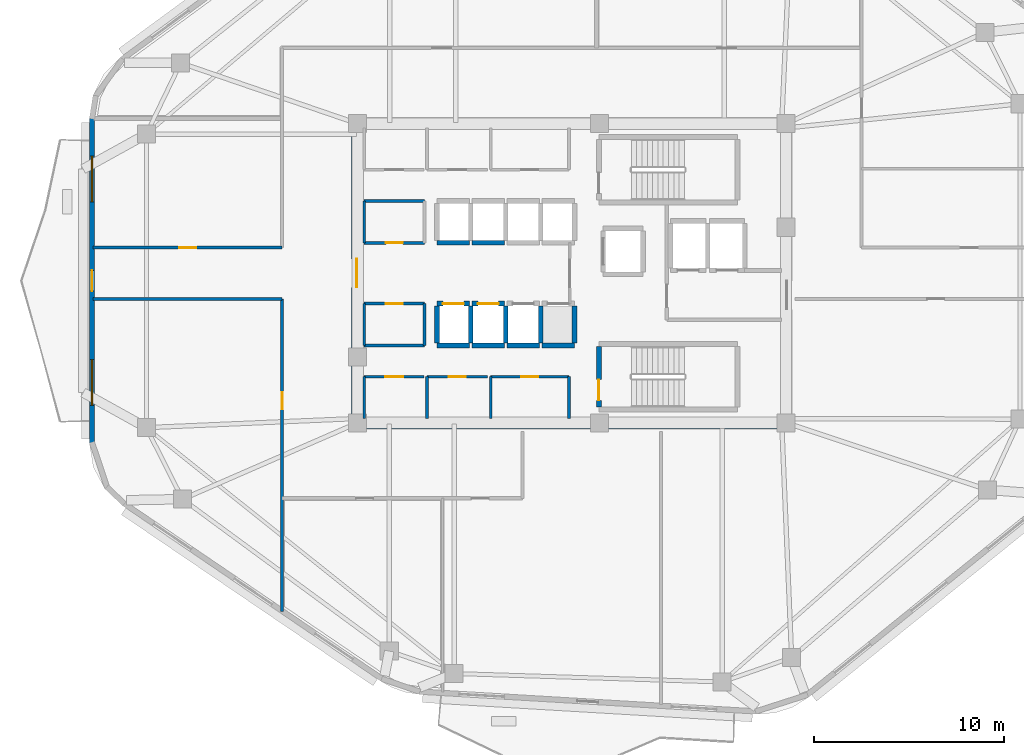
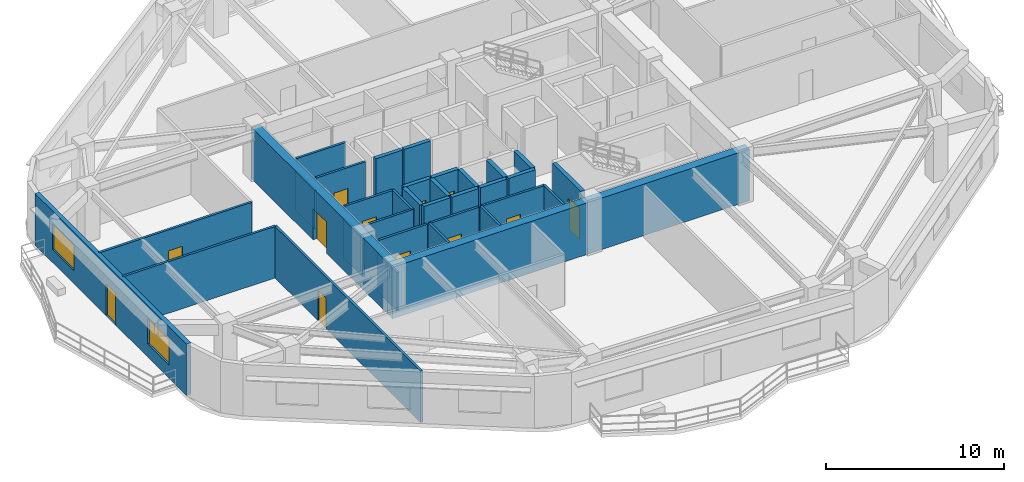
# One storey, part 8 of 15: 34 walls, 12 doors, 2 windows, 14 openings.
"""IFC4 building model written with IfcOpenShell, lengths in metres."""

from ifc_helpers import new_model, si_unit, direction, frame, frame_2d, origin, place, context, subcontext, project, spatial, rectangle, extrude, material, layer, layer_set, type_object, element, fill, save


model = new_model("IFC4")

# Units and contexts
model_context = context("Model", 3, precision=1e-05, world=origin(), true_north=direction((0.0, 1.0)))
body_context = subcontext(model_context, "Body", "Model", "MODEL_VIEW")
ifc_project = project(units=[si_unit("LENGTHUNIT", "METRE"), si_unit("AREAUNIT", "SQUARE_METRE"), si_unit("VOLUMEUNIT", "CUBIC_METRE"), si_unit("PLANEANGLEUNIT", "RADIAN"), si_unit("MASSUNIT", "GRAM", prefix="KILO")], contexts=[model_context])

# Site, building, storey
site_placement = place(None, origin())
site = spatial("IfcSite", under=ifc_project, at=site_placement, CompositionType="ELEMENT")
building_placement = place(site_placement, origin())
building = spatial("IfcBuilding", under=site, at=building_placement, Name="Zulverin Broadcast Headquarters", CompositionType="ELEMENT")
storey_placement = place(building_placement, frame((0.0, 0.0, 193.39990234375)))
storey = spatial("IfcBuildingStorey", under=building, at=storey_placement, Name="L49", CompositionType="ELEMENT", Elevation=193.39990234375)

# Wall
ifc_material_1 = material(Name="Concrete C60/75", Category="concrete")
ifc_layer_1 = layer(ifc_material_1, 0.550048828125, Name="Concrete C60/75", Category="concrete")
ifc_layer_set_1 = layer_set([ifc_layer_1], Name="Concrete C60/75")
wall_type_1 = type_object("IfcWallType", Name="WL-CORE-550", PredefinedType="SHEAR", material=ifc_layer_set_1)
wall_1_placement = place(storey_placement, frame((25.39990234375, 17.27490234375, 0.0), z_axis=(0.0, 0.0, 1.0), x_axis=(1.0, 0.0, 0.0)))
element("IfcWall", 1, at=wall_1_placement, inside=storey, type_object=wall_type_1, Name="L49 Core South Shear Wall", PredefinedType="SHEAR", context=body_context, shape_type="SweptSolid", body=[
    extrude(rectangle(XDim=23.2001953125, YDim=0.550048828125, at=frame_2d((11.60009765625, 0.0))), origin(), (0.0, 0.0, 1.0), 3.5400390625),
])

# Wall, opening, door
wall_2_placement = place(storey_placement, frame((25.675048828125, 17.550048828125, 0.0), z_axis=(0.0, 0.0, 1.0), x_axis=(0.0, 1.0, 0.0)))
wall_2 = element("IfcWall", 2, at=wall_2_placement, inside=storey, type_object=wall_type_1, Name="L49 Core West Shear Wall", PredefinedType="SHEAR", context=body_context, shape_type="SweptSolid", body=[
    extrude(rectangle(XDim=15.300048828125, YDim=0.550048828125, at=frame_2d((7.64990234375, 0.0))), origin(), (0.0, 0.0, 1.0), 3.5400390625),
])
opening_1_placement = place(wall_2_placement, frame((6.89990234375, 0.0, 0.0)))
opening_1 = element("IfcOpeningElement", 3, at=opening_1_placement, cuts=wall_2, Name="Opening D-L49-CW1", PredefinedType="OPENING", context=body_context, shape_type="SweptSolid", body=[
    extrude(rectangle(XDim=1.5, YDim=2.14990234375, at=frame_2d((0.75, 1.074951171875))), frame((0.0, 0.284912109375, 0.0), z_axis=(0.0, -1.0, 0.0), x_axis=(1.0, 0.0, 0.0)), (0.0, 0.0, 1.0), 0.570068359375),
])
ifc_material_2 = material(Name="Fire-rated glazed steel frame", Category="steel")
door_type_1 = type_object("IfcDoorType", Name="DR-COR-1500", OperationType="DOUBLE_DOOR_SINGLE_SWING", PredefinedType="DOOR", material=ifc_material_2)
door_1_placement = place(opening_1_placement, origin())
door_1 = element("IfcDoor", 4, at=door_1_placement, inside=storey, type_object=door_type_1, Name="L49 Central Lift Lobby West Portal Door", OperationType="DOUBLE_DOOR_SINGLE_SWING", OverallHeight=2.14990234375, OverallWidth=1.5, PredefinedType="DOOR", context=body_context, shape_type="SweptSolid", body=[
    extrude(rectangle(XDim=1.5, YDim=2.14990234375, at=frame_2d((0.75, 1.074951171875))), frame((0.0, 0.02490234375, 0.0), z_axis=(0.0, -1.0, 0.0), x_axis=(1.0, 0.0, 0.0)), (0.0, 0.0, 1.0), 0.050048828125),
])
fill(opening_1, door_1)

# Wall, openings, door, windows
ifc_material_3 = material(Name="Insulated pale-metal clad concrete spandrel C40/50", Category="concrete")
ifc_layer_2 = layer(ifc_material_3, 0.280029296875, Name="Insulated pale-metal clad concrete spandrel C40/50", Category="concrete")
ifc_layer_set_2 = layer_set([ifc_layer_2], Name="Insulated pale-metal clad concrete spandrel C40/50")
wall_type_2 = type_object("IfcWallType", Name="WL-EXT-280", PredefinedType="STANDARD", material=ifc_layer_set_2)
wall_3_placement = place(storey_placement, frame((11.739990234375, 33.34033203125, 0.0), z_axis=(0.0, 0.0, 1.0), x_axis=(0.0, -1.0, 0.0)))
wall_3 = element("IfcWall", 5, at=wall_3_placement, inside=storey, type_object=wall_type_2, Name="L49 Pale-Metal Clad Spandrel Wall 7", PredefinedType="STANDARD", context=body_context, shape_type="SweptSolid", body=[
    extrude(rectangle(XDim=17.07275390625, YDim=0.280029296875, at=frame_2d((8.536376953125, 0.0))), origin(), (0.0, 0.0, 1.0), 3.5400390625),
])
opening_2_placement = place(wall_3_placement, frame((7.986328125, 0.0, 0.0)))
opening_2 = element("IfcOpeningElement", 6, at=opening_2_placement, cuts=wall_3, Name="Opening D-L49-TR7", PredefinedType="OPENING", context=body_context, shape_type="SweptSolid", body=[
    extrude(rectangle(XDim=1.10009765625, YDim=2.199951171875, at=frame_2d((0.550048828125, 1.10009765625))), frame((0.0, 0.14990234375, 0.0), z_axis=(0.0, -1.0, 0.0), x_axis=(1.0, 0.0, 0.0)), (0.0, 0.0, 1.0), 0.300048828125),
])
opening_3_placement = place(wall_3_placement, frame((1.978759765625, 0.0, 0.89990234375)))
opening_3 = element("IfcOpeningElement", 7, at=opening_3_placement, cuts=wall_3, Name="Opening W-L49-E71", PredefinedType="OPENING", context=body_context, shape_type="SweptSolid", body=[
    extrude(rectangle(XDim=2.39990234375, YDim=1.75, at=frame_2d((1.199951171875, 0.875))), frame((0.0, 0.14990234375, 0.0), z_axis=(0.0, -1.0, 0.0), x_axis=(1.0, 0.0, 0.0)), (0.0, 0.0, 1.0), 0.300048828125),
])
opening_4_placement = place(wall_3_placement, frame((12.69384765625, 0.0, 0.89990234375)))
opening_4 = element("IfcOpeningElement", 8, at=opening_4_placement, cuts=wall_3, Name="Opening W-L49-E72", PredefinedType="OPENING", context=body_context, shape_type="SweptSolid", body=[
    extrude(rectangle(XDim=2.39990234375, YDim=1.75, at=frame_2d((1.199951171875, 0.875))), frame((0.0, 0.14990234375, 0.0), z_axis=(0.0, -1.0, 0.0), x_axis=(1.0, 0.0, 0.0)), (0.0, 0.0, 1.0), 0.300048828125),
])
ifc_material_4 = material(Name="Thermally broken aluminium glazed", Category="aluminium")
door_type_2 = type_object("IfcDoorType", Name="DR-TERR-1100", OperationType="SINGLE_SWING_RIGHT", PredefinedType="DOOR", material=ifc_material_4)
door_2_placement = place(opening_2_placement, origin())
door_2 = element("IfcDoor", 9, at=door_2_placement, inside=storey, type_object=door_type_2, Name="L49 Planted Terrace Glazed Access Door 7", OperationType="SINGLE_SWING_RIGHT", OverallHeight=2.199951171875, OverallWidth=1.10009765625, PredefinedType="DOOR", context=body_context, shape_type="SweptSolid", body=[
    extrude(rectangle(XDim=1.10009765625, YDim=2.199951171875, at=frame_2d((0.550048828125, 1.10009765625))), frame((0.0, 0.02490234375, 0.0), z_axis=(0.0, -1.0, 0.0), x_axis=(1.0, 0.0, 0.0)), (0.0, 0.0, 1.0), 0.050048828125),
])
fill(opening_2, door_2)
ifc_material_5 = material(Name="Pale anodized aluminium frame with solar-control low-E double glazing", Category="aluminium")
window_type = type_object("IfcWindowType", Name="WIN-RIB-2400", PartitioningType="SINGLE_PANEL", PredefinedType="WINDOW", material=ifc_material_5)
window_1_placement = place(opening_3_placement, origin())
window_1 = element("IfcWindow", 10, at=window_1_placement, inside=storey, type_object=window_type, Name="L49 Ribbon Glazing Window 7 1", OverallHeight=1.75, OverallWidth=2.39990234375, PartitioningType="SINGLE_PANEL", PredefinedType="WINDOW", context=body_context, shape_type="SweptSolid", body=[
    extrude(rectangle(XDim=2.39990234375, YDim=1.75, at=frame_2d((1.199951171875, 0.875))), frame((0.0, 0.030029296875, 0.0), z_axis=(0.0, -1.0, 0.0), x_axis=(1.0, 0.0, 0.0)), (0.0, 0.0, 1.0), 0.06005859375),
])
fill(opening_3, window_1)
window_2_placement = place(opening_4_placement, origin())
window_2 = element("IfcWindow", 11, at=window_2_placement, inside=storey, type_object=window_type, Name="L49 Ribbon Glazing Window 7 2", OverallHeight=1.75, OverallWidth=2.39990234375, PartitioningType="SINGLE_PANEL", PredefinedType="WINDOW", context=body_context, shape_type="SweptSolid", body=[
    extrude(rectangle(XDim=2.39990234375, YDim=1.75, at=frame_2d((1.199951171875, 0.875))), frame((0.0, 0.030029296875, 0.0), z_axis=(0.0, -1.0, 0.0), x_axis=(1.0, 0.0, 0.0)), (0.0, 0.0, 1.0), 0.06005859375),
])
fill(opening_4, window_2)

# Wall, opening, door
ifc_material_6 = material(Name="Fire-rated gypsum stud partition", Category="gypsum")
ifc_layer_3 = layer(ifc_material_6, 0.14990234375, Name="Fire-rated gypsum stud partition", Category="gypsum")
ifc_layer_set_3 = layer_set([ifc_layer_3], Name="Fire-rated gypsum stud partition")
wall_type_3 = type_object("IfcWallType", Name="WL-PART-150", PredefinedType="PARTITIONING", material=ifc_layer_set_3)
wall_4_placement = place(storey_placement, frame((26.070068359375, 19.75, 0.0), z_axis=(0.0, 0.0, 1.0), x_axis=(1.0, 0.0, 0.0)))
wall_4 = element("IfcWall", 12, at=wall_4_placement, inside=storey, type_object=wall_type_3, Name="L49 Core Female WC Front Wall", PredefinedType="PARTITIONING", context=body_context, shape_type="SweptSolid", body=[
    extrude(rectangle(XDim=3.14990234375, YDim=0.14990234375, at=frame_2d((1.574951171875, 0.0))), origin(), (0.0, 0.0, 1.0), 3.5400390625),
])
opening_5_placement = place(wall_4_placement, frame((1.10009765625, 0.0, 0.0)))
opening_5 = element("IfcOpeningElement", 13, at=opening_5_placement, cuts=wall_4, Name="Opening D-L49-SC1", PredefinedType="OPENING", context=body_context, shape_type="SweptSolid", body=[
    extrude(rectangle(XDim=0.949951171875, YDim=2.10009765625, at=frame_2d((0.47509765625, 1.050048828125))), frame((0.0, 0.0849609375, 0.0), z_axis=(0.0, -1.0, 0.0), x_axis=(1.0, 0.0, 0.0)), (0.0, 0.0, 1.0), 0.169921875),
])
ifc_material_7 = material(Name="Fire-rated moisture-resistant laminate leaf", Category="wood")
door_type_3 = type_object("IfcDoorType", Name="DR-WC-950", OperationType="SINGLE_SWING_LEFT", PredefinedType="DOOR", material=ifc_material_7)
door_3_placement = place(opening_5_placement, origin())
door_3 = element("IfcDoor", 14, at=door_3_placement, inside=storey, type_object=door_type_3, Name="L49 Female WC Door", OperationType="SINGLE_SWING_RIGHT", OverallHeight=2.10009765625, OverallWidth=0.949951171875, PredefinedType="DOOR", context=body_context, shape_type="SweptSolid", body=[
    extrude(rectangle(XDim=0.949951171875, YDim=2.10009765625, at=frame_2d((0.47509765625, 1.050048828125))), frame((0.0, 0.02490234375, 0.0), z_axis=(0.0, -1.0, 0.0), x_axis=(1.0, 0.0, 0.0)), (0.0, 0.0, 1.0), 0.050048828125),
])
fill(opening_5, door_3)

# Wall
wall_5_placement = place(storey_placement, frame((26.070068359375, 17.550048828125, 0.0), z_axis=(0.0, 0.0, 1.0), x_axis=(0.0, 1.0, 0.0)))
element("IfcWall", 15, at=wall_5_placement, inside=storey, type_object=wall_type_3, Name="L49 Core Female WC West Wall", PredefinedType="PARTITIONING", context=body_context, shape_type="SweptSolid", body=[
    extrude(rectangle(XDim=2.199951171875, YDim=0.14990234375, at=frame_2d((1.10009765625, 0.0))), origin(), (0.0, 0.0, 1.0), 2.64013671875),
])

# Wall, opening, door
wall_6_placement = place(storey_placement, frame((29.3798828125, 19.75, 0.0), z_axis=(0.0, 0.0, 1.0), x_axis=(1.0, 0.0, 0.0)))
wall_6 = element("IfcWall", 16, at=wall_6_placement, inside=storey, type_object=wall_type_3, Name="L49 Core Cleaner Store Front Wall", PredefinedType="PARTITIONING", context=body_context, shape_type="SweptSolid", body=[
    extrude(rectangle(XDim=3.190185546875, YDim=0.14990234375, at=frame_2d((1.59521484375, 0.0))), origin(), (0.0, 0.0, 1.0), 3.5400390625),
])
opening_6_placement = place(wall_6_placement, frame((1.14501953125, 0.0, 0.0)))
opening_6 = element("IfcOpeningElement", 17, at=opening_6_placement, cuts=wall_6, Name="Opening D-L49-SC2", PredefinedType="OPENING", context=body_context, shape_type="SweptSolid", body=[
    extrude(rectangle(XDim=0.89990234375, YDim=2.10009765625, at=frame_2d((0.449951171875, 1.050048828125))), frame((0.0, 0.0849609375, 0.0), z_axis=(0.0, -1.0, 0.0), x_axis=(1.0, 0.0, 0.0)), (0.0, 0.0, 1.0), 0.169921875),
])
ifc_material_8 = material(Name="Powder-coated steel access leaf", Category="steel")
door_type_4 = type_object("IfcDoorType", Name="DR-RISER-900", OperationType="SINGLE_SWING_LEFT", PredefinedType="DOOR", material=ifc_material_8)
door_4_placement = place(opening_6_placement, origin())
door_4 = element("IfcDoor", 18, at=door_4_placement, inside=storey, type_object=door_type_4, Name="L49 Cleaner Store Door", OperationType="SINGLE_SWING_LEFT", OverallHeight=2.10009765625, OverallWidth=0.89990234375, PredefinedType="DOOR", context=body_context, shape_type="SweptSolid", body=[
    extrude(rectangle(XDim=0.89990234375, YDim=2.10009765625, at=frame_2d((0.449951171875, 1.050048828125))), frame((0.0, 0.02490234375, 0.0), z_axis=(0.0, -1.0, 0.0), x_axis=(1.0, 0.0, 0.0)), (0.0, 0.0, 1.0), 0.050048828125),
])
fill(opening_6, door_4)

# Wall
wall_7_placement = place(storey_placement, frame((29.3798828125, 17.550048828125, 0.0), z_axis=(0.0, 0.0, 1.0), x_axis=(0.0, 1.0, 0.0)))
element("IfcWall", 19, at=wall_7_placement, inside=storey, type_object=wall_type_3, Name="L49 Core Cleaner Store West Wall", PredefinedType="PARTITIONING", context=body_context, shape_type="SweptSolid", body=[
    extrude(rectangle(XDim=2.199951171875, YDim=0.14990234375, at=frame_2d((1.10009765625, 0.0))), origin(), (0.0, 0.0, 1.0), 3.5400390625),
])

# Wall, opening, door
wall_8_placement = place(storey_placement, frame((32.72998046875, 19.75, 0.0), z_axis=(0.0, 0.0, 1.0), x_axis=(1.0, 0.0, 0.0)))
wall_8 = element("IfcWall", 20, at=wall_8_placement, inside=storey, type_object=wall_type_3, Name="L49 Core Broadcast Fibre Riser Front Wall", PredefinedType="PARTITIONING", context=body_context, shape_type="SweptSolid", body=[
    extrude(rectangle(XDim=4.1201171875, YDim=0.14990234375, at=frame_2d((2.06005859375, 0.0))), origin(), (0.0, 0.0, 1.0), 3.5400390625),
])
opening_7_placement = place(wall_8_placement, frame((1.610107421875, 0.0, 0.0)))
opening_7 = element("IfcOpeningElement", 21, at=opening_7_placement, cuts=wall_8, Name="Opening D-L49-SC3", PredefinedType="OPENING", context=body_context, shape_type="SweptSolid", body=[
    extrude(rectangle(XDim=0.89990234375, YDim=2.10009765625, at=frame_2d((0.449951171875, 1.050048828125))), frame((0.0, 0.0849609375, 0.0), z_axis=(0.0, -1.0, 0.0), x_axis=(1.0, 0.0, 0.0)), (0.0, 0.0, 1.0), 0.169921875),
])
door_5_placement = place(opening_7_placement, origin())
door_5 = element("IfcDoor", 22, at=door_5_placement, inside=storey, type_object=door_type_4, Name="L49 Broadcast Fibre Riser Door", OperationType="SINGLE_SWING_RIGHT", OverallHeight=2.10009765625, OverallWidth=0.89990234375, PredefinedType="DOOR", context=body_context, shape_type="SweptSolid", body=[
    extrude(rectangle(XDim=0.89990234375, YDim=2.10009765625, at=frame_2d((0.449951171875, 1.050048828125))), frame((0.0, 0.02490234375, 0.0), z_axis=(0.0, -1.0, 0.0), x_axis=(1.0, 0.0, 0.0)), (0.0, 0.0, 1.0), 0.050048828125),
])
fill(opening_7, door_5)

# Walls
for number, where, z_axis, x_axis, name in (
    (23, (32.72998046875, 17.550048828125, 0.0), (0.0, 0.0, 1.0), (0.0, 1.0, 0.0), "L49 Core Broadcast Fibre Riser West Wall"),
    (24, (36.85009765625, 17.550048828125, 0.0), (0.0, 0.0, 1.0), (0.0, 1.0, 0.0), "L49 Core Broadcast Fibre Riser East Wall"),
):
    element("IfcWall", number, at=place(storey_placement, frame(where, z_axis=z_axis, x_axis=x_axis)), inside=storey, type_object=wall_type_3, Name=name, PredefinedType="PARTITIONING", context=body_context, shape_type="SweptSolid", body=[
        extrude(rectangle(XDim=2.199951171875, YDim=0.14990234375, at=frame_2d((1.10009765625, 0.0))), origin(), (0.0, 0.0, 1.0), 3.5400390625),
    ])

# Wall, opening, door
wall_9_placement = place(storey_placement, frame((26.070068359375, 26.800048828125, 0.0), z_axis=(0.0, 0.0, 1.0), x_axis=(1.0, 0.0, 0.0)))
wall_9 = element("IfcWall", 25, at=wall_9_placement, inside=storey, type_object=wall_type_3, Name="L49 Core UPS Battery Store S Wall", PredefinedType="PARTITIONING", context=body_context, shape_type="SweptSolid", body=[
    extrude(rectangle(XDim=3.179931640625, YDim=0.14990234375, at=frame_2d((1.58984375, 0.0))), origin(), (0.0, 0.0, 1.0), 3.5400390625),
])
opening_8_placement = place(wall_9_placement, frame((1.139892578125, 0.0, 0.0)))
opening_8 = element("IfcOpeningElement", 26, at=opening_8_placement, cuts=wall_9, Name="Opening D-L49-RCLN", PredefinedType="OPENING", context=body_context, shape_type="SweptSolid", body=[
    extrude(rectangle(XDim=0.89990234375, YDim=2.10009765625, at=frame_2d((0.449951171875, 1.050048828125))), frame((0.0, 0.0849609375, 0.0), z_axis=(0.0, -1.0, 0.0), x_axis=(1.0, 0.0, 0.0)), (0.0, 0.0, 1.0), 0.169921875),
])
door_6_placement = place(opening_8_placement, origin())
door_6 = element("IfcDoor", 27, at=door_6_placement, inside=storey, type_object=door_type_4, Name="L49 Core UPS Battery Store Door", OperationType="SINGLE_SWING_LEFT", OverallHeight=2.10009765625, OverallWidth=0.89990234375, PredefinedType="DOOR", context=body_context, shape_type="SweptSolid", body=[
    extrude(rectangle(XDim=0.89990234375, YDim=2.10009765625, at=frame_2d((0.449951171875, 1.050048828125))), frame((0.0, 0.02490234375, 0.0), z_axis=(0.0, -1.0, 0.0), x_axis=(1.0, 0.0, 0.0)), (0.0, 0.0, 1.0), 0.050048828125),
])
fill(opening_8, door_6)

# Walls
wall_10_placement = place(storey_placement, frame((26.070068359375, 29.0, 0.0), z_axis=(0.0, 0.0, 1.0), x_axis=(1.0, 0.0, 0.0)))
element("IfcWall", 28, at=wall_10_placement, inside=storey, type_object=wall_type_3, Name="L49 Core UPS Battery Store N Wall", PredefinedType="PARTITIONING", context=body_context, shape_type="SweptSolid", body=[
    extrude(rectangle(XDim=3.179931640625, YDim=0.14990234375, at=frame_2d((1.58984375, 0.0))), origin(), (0.0, 0.0, 1.0), 3.5400390625),
])
wall_11_placement = place(storey_placement, frame((26.070068359375, 26.800048828125, 0.0), z_axis=(0.0, 0.0, 1.0), x_axis=(0.0, 1.0, 0.0)))
element("IfcWall", 29, at=wall_11_placement, inside=storey, type_object=wall_type_3, Name="L49 Core UPS Battery Store W Wall", PredefinedType="PARTITIONING", context=body_context, shape_type="SweptSolid", body=[
    extrude(rectangle(XDim=2.199951171875, YDim=0.14990234375, at=frame_2d((1.10009765625, 0.0))), origin(), (0.0, 0.0, 1.0), 2.64013671875),
])
wall_12_placement = place(storey_placement, frame((26.070068359375, 21.39990234375, 0.0), z_axis=(0.0, 0.0, 1.0), x_axis=(1.0, 0.0, 0.0)))
element("IfcWall", 30, at=wall_12_placement, inside=storey, type_object=wall_type_3, Name="L49 Housekeeping Equipment Store S Wall", PredefinedType="PARTITIONING", context=body_context, shape_type="SweptSolid", body=[
    extrude(rectangle(XDim=3.179931640625, YDim=0.14990234375, at=frame_2d((1.58984375, 0.0))), origin(), (0.0, 0.0, 1.0), 3.5400390625),
])

# Wall, opening, door
wall_13_placement = place(storey_placement, frame((26.070068359375, 23.60009765625, 0.0), z_axis=(0.0, 0.0, 1.0), x_axis=(1.0, 0.0, 0.0)))
wall_13 = element("IfcWall", 31, at=wall_13_placement, inside=storey, type_object=wall_type_3, Name="L49 Housekeeping Equipment Store N Wall", PredefinedType="PARTITIONING", context=body_context, shape_type="SweptSolid", body=[
    extrude(rectangle(XDim=3.179931640625, YDim=0.14990234375, at=frame_2d((1.58984375, 0.0))), origin(), (0.0, 0.0, 1.0), 3.5400390625),
])
opening_9_placement = place(wall_13_placement, frame((1.139892578125, 0.0, 0.0)))
opening_9 = element("IfcOpeningElement", 32, at=opening_9_placement, cuts=wall_13, Name="Opening D-L49-RCLS", PredefinedType="OPENING", context=body_context, shape_type="SweptSolid", body=[
    extrude(rectangle(XDim=0.89990234375, YDim=2.10009765625, at=frame_2d((0.449951171875, 1.050048828125))), frame((0.0, 0.0849609375, 0.0), z_axis=(0.0, -1.0, 0.0), x_axis=(1.0, 0.0, 0.0)), (0.0, 0.0, 1.0), 0.169921875),
])
door_7_placement = place(opening_9_placement, origin())
door_7 = element("IfcDoor", 33, at=door_7_placement, inside=storey, type_object=door_type_4, Name="L49 Housekeeping Equipment Store Door", OperationType="SINGLE_SWING_RIGHT", OverallHeight=2.10009765625, OverallWidth=0.89990234375, PredefinedType="DOOR", context=body_context, shape_type="SweptSolid", body=[
    extrude(rectangle(XDim=0.89990234375, YDim=2.10009765625, at=frame_2d((0.449951171875, 1.050048828125))), frame((0.0, 0.02490234375, 0.0), z_axis=(0.0, -1.0, 0.0), x_axis=(1.0, 0.0, 0.0)), (0.0, 0.0, 1.0), 0.050048828125),
])
fill(opening_9, door_7)

# Walls
wall_14_placement = place(storey_placement, frame((26.070068359375, 21.39990234375, 0.0), z_axis=(0.0, 0.0, 1.0), x_axis=(0.0, 1.0, 0.0)))
element("IfcWall", 34, at=wall_14_placement, inside=storey, type_object=wall_type_3, Name="L49 Housekeeping Equipment Store W Wall", PredefinedType="PARTITIONING", context=body_context, shape_type="SweptSolid", body=[
    extrude(rectangle(XDim=2.2001953125, YDim=0.14990234375, at=frame_2d((1.10009765625, 0.0))), origin(), (0.0, 0.0, 1.0), 2.64013671875),
])
wall_15_placement = place(storey_placement, frame((29.25, 21.39990234375, 0.0), z_axis=(0.0, 0.0, 1.0), x_axis=(0.0, 1.0, 0.0)))
element("IfcWall", 35, at=wall_15_placement, inside=storey, type_object=wall_type_3, Name="L49 Housekeeping Equipment Store E Wall", PredefinedType="PARTITIONING", context=body_context, shape_type="SweptSolid", body=[
    extrude(rectangle(XDim=2.2001953125, YDim=0.14990234375, at=frame_2d((1.10009765625, 0.0))), origin(), (0.0, 0.0, 1.0), 3.5400390625),
])

# Wall, opening, door
wall_16_placement = place(storey_placement, frame((21.75, 7.390380859375, 0.0), z_axis=(0.0, 0.0, 1.0), x_axis=(0.0, 1.0, 0.0)))
wall_16 = element("IfcWall", 36, at=wall_16_placement, inside=storey, type_object=wall_type_3, Name="L49 Gallery Partition Wall CG-06", PredefinedType="PARTITIONING", context=body_context, shape_type="SweptSolid", body=[
    extrude(rectangle(XDim=16.459716796875, YDim=0.14990234375, at=frame_2d((8.22998046875, 0.0))), origin(), (0.0, 0.0, 1.0), 3.5400390625),
])
opening_10_placement = place(wall_16_placement, frame((10.639404296875, 0.0, 0.0)))
opening_10 = element("IfcOpeningElement", 37, at=opening_10_placement, cuts=wall_16, Name="Opening D-L49-05", PredefinedType="OPENING", context=body_context, shape_type="SweptSolid", body=[
    extrude(rectangle(XDim=0.89990234375, YDim=2.10009765625, at=frame_2d((0.449951171875, 1.050048828125))), frame((0.0, 0.0849609375, 0.0), z_axis=(0.0, -1.0, 0.0), x_axis=(1.0, 0.0, 0.0)), (0.0, 0.0, 1.0), 0.169921875),
])
ifc_material_9 = material(Name="Fire-rated hardwood veneer timber leaf", Category="wood")
door_type_5 = type_object("IfcDoorType", Name="DR-ROOM-900", OperationType="SINGLE_SWING_RIGHT", PredefinedType="DOOR", material=ifc_material_9)
door_8_placement = place(opening_10_placement, origin())
door_8 = element("IfcDoor", 38, at=door_8_placement, inside=storey, type_object=door_type_5, Name="L49 Sound Exhibition Gallery Door", OperationType="SINGLE_SWING_RIGHT", OverallHeight=2.10009765625, OverallWidth=0.89990234375, PredefinedType="DOOR", context=body_context, shape_type="SweptSolid", body=[
    extrude(rectangle(XDim=0.89990234375, YDim=2.10009765625, at=frame_2d((0.449951171875, 1.050048828125))), frame((0.0, 0.02490234375, 0.0), z_axis=(0.0, -1.0, 0.0), x_axis=(1.0, 0.0, 0.0)), (0.0, 0.0, 1.0), 0.050048828125),
])
fill(opening_10, door_8)

# Wall
wall_17_placement = place(storey_placement, frame((11.804931640625, 23.85009765625, 0.0), z_axis=(0.0, 0.0, 1.0), x_axis=(1.0, 0.0, 0.0)))
element("IfcWall", 39, at=wall_17_placement, inside=storey, type_object=wall_type_3, Name="L49 Gallery Partition Wall CG-09", PredefinedType="PARTITIONING", context=body_context, shape_type="SweptSolid", body=[
    extrude(rectangle(XDim=9.945068359375, YDim=0.14990234375, at=frame_2d((4.97265625, 0.0))), origin(), (0.0, 0.0, 1.0), 3.5400390625),
])

# Wall, opening, door
wall_18_placement = place(storey_placement, frame((11.804931640625, 26.550048828125, 0.0), z_axis=(0.0, 0.0, 1.0), x_axis=(1.0, 0.0, 0.0)))
wall_18 = element("IfcWall", 40, at=wall_18_placement, inside=storey, type_object=wall_type_3, Name="L49 Gallery Partition Wall CG-11", PredefinedType="PARTITIONING", context=body_context, shape_type="SweptSolid", body=[
    extrude(rectangle(XDim=9.945068359375, YDim=0.14990234375, at=frame_2d((4.97265625, 0.0))), origin(), (0.0, 0.0, 1.0), 3.5400390625),
])
opening_11_placement = place(wall_18_placement, frame((4.5224609375, 0.0, 0.0)))
opening_11 = element("IfcOpeningElement", 41, at=opening_11_placement, cuts=wall_18, Name="Opening D-L49-06", PredefinedType="OPENING", context=body_context, shape_type="SweptSolid", body=[
    extrude(rectangle(XDim=0.89990234375, YDim=2.10009765625, at=frame_2d((0.449951171875, 1.050048828125))), frame((0.0, 0.0849609375, 0.0), z_axis=(0.0, -1.0, 0.0), x_axis=(1.0, 0.0, 0.0)), (0.0, 0.0, 1.0), 0.169921875),
])
door_9_placement = place(opening_11_placement, origin())
door_9 = element("IfcDoor", 42, at=door_9_placement, inside=storey, type_object=door_type_5, Name="L49 Media Library Door", OperationType="SINGLE_SWING_LEFT", OverallHeight=2.10009765625, OverallWidth=0.89990234375, PredefinedType="DOOR", context=body_context, shape_type="SweptSolid", body=[
    extrude(rectangle(XDim=0.89990234375, YDim=2.10009765625, at=frame_2d((0.449951171875, 1.050048828125))), frame((0.0, 0.02490234375, 0.0), z_axis=(0.0, -1.0, 0.0), x_axis=(1.0, 0.0, 0.0)), (0.0, 0.0, 1.0), 0.050048828125),
])
fill(opening_11, door_9)

ifc_material_10 = material(Name="Concrete C50/60", Category="concrete")
ifc_layer_4 = layer(ifc_material_10, 0.25, Name="Concrete C50/60", Category="concrete")
ifc_layer_set_4 = layer_set([ifc_layer_4], Name="Concrete C50/60")
wall_type_4 = type_object("IfcWallType", Name="WL-SHAFT-250", PredefinedType="SHEAR", material=ifc_layer_set_4)
wall_19_placement = place(storey_placement, frame((38.425048828125, 18.14990234375, 0.0), z_axis=(0.0, 0.0, 1.0), x_axis=(0.0, 1.0, 0.0)))
wall_19 = element("IfcWall", 43, at=wall_19_placement, inside=storey, type_object=wall_type_4, Name="L49 ST-2 Enclosure Wall W", PredefinedType="SHEAR", context=body_context, shape_type="SweptSolid", body=[
    extrude(rectangle(XDim=3.2001953125, YDim=0.25, at=frame_2d((1.60009765625, 0.0))), origin(), (0.0, 0.0, 1.0), 3.5400390625),
])
opening_12_placement = place(wall_19_placement, frame((0.35009765625, 0.0, 0.0)))
opening_12 = element("IfcOpeningElement", 44, at=opening_12_placement, cuts=wall_19, Name="Opening D-L49-ST-2", PredefinedType="OPENING", context=body_context, shape_type="SweptSolid", body=[
    extrude(rectangle(XDim=1.10009765625, YDim=2.14990234375, at=frame_2d((0.550048828125, 1.074951171875))), frame((0.0, 0.135009765625, 0.0), z_axis=(0.0, -1.0, 0.0), x_axis=(1.0, 0.0, 0.0)), (0.0, 0.0, 1.0), 0.27001953125),
])
ifc_material_11 = material(Name="Fire-rated steel leaf and frame", Category="steel")
door_type_6 = type_object("IfcDoorType", Name="DR-STAIR-1100", OperationType="SINGLE_SWING_LEFT", PredefinedType="DOOR", material=ifc_material_11)
door_10_placement = place(opening_12_placement, origin())
door_10 = element("IfcDoor", 45, at=door_10_placement, inside=storey, type_object=door_type_6, Name="L49 Exit Stair ST-2 Fire Door", OperationType="SINGLE_SWING_RIGHT", OverallHeight=2.14990234375, OverallWidth=1.10009765625, PredefinedType="DOOR", context=body_context, shape_type="SweptSolid", body=[
    extrude(rectangle(XDim=1.10009765625, YDim=2.14990234375, at=frame_2d((0.550048828125, 1.074951171875))), frame((0.0, 0.02490234375, 0.0), z_axis=(0.0, -1.0, 0.0), x_axis=(1.0, 0.0, 0.0)), (0.0, 0.0, 1.0), 0.050048828125),
])
fill(opening_12, door_10)

# Wall
wall_20_placement = place(storey_placement, frame((29.89990234375, 21.39990234375, 0.0), z_axis=(0.0, 0.0, 1.0), x_axis=(1.0, 0.0, 0.0)))
element("IfcWall", 46, at=wall_20_placement, inside=storey, type_object=wall_type_4, Name="L49 Lift PL-M1 Shaft Wall S", PredefinedType="SHEAR", context=body_context, shape_type="SweptSolid", body=[
    extrude(rectangle(XDim=1.72021484375, YDim=0.25, at=frame_2d((0.860107421875, 0.0))), origin(), (0.0, 0.0, 1.0), 3.5400390625),
])

# Wall, opening, door
wall_21_placement = place(storey_placement, frame((29.89990234375, 23.60009765625, 0.0), z_axis=(0.0, 0.0, 1.0), x_axis=(1.0, 0.0, 0.0)))
wall_21 = element("IfcWall", 47, at=wall_21_placement, inside=storey, type_object=wall_type_4, Name="L49 Lift PL-M1 Shaft Wall N", PredefinedType="SHEAR", context=body_context, shape_type="SweptSolid", body=[
    extrude(rectangle(XDim=1.72021484375, YDim=0.25, at=frame_2d((0.860107421875, 0.0))), origin(), (0.0, 0.0, 1.0), 3.5400390625),
])
opening_13_placement = place(wall_21_placement, frame((0.31005859375, 0.0, 0.0)))
opening_13 = element("IfcOpeningElement", 48, at=opening_13_placement, cuts=wall_21, Name="Opening LD-PL-M1-L49", PredefinedType="OPENING", context=body_context, shape_type="SweptSolid", body=[
    extrude(rectangle(XDim=1.10009765625, YDim=2.14990234375, at=frame_2d((0.550048828125, 1.074951171875))), frame((0.0, 0.135009765625, 0.0), z_axis=(0.0, -1.0, 0.0), x_axis=(1.0, 0.0, 0.0)), (0.0, 0.0, 1.0), 0.27001953125),
])
ifc_material_12 = material(Name="Brushed stainless steel landing", Category="steel")
door_type_7 = type_object("IfcDoorType", Name="LD-PASS-1100", OperationType="DOUBLE_DOOR_SLIDING", PredefinedType="DOOR", material=ifc_material_12)
door_11_placement = place(opening_13_placement, origin())
door_11 = element("IfcDoor", 49, at=door_11_placement, inside=storey, type_object=door_type_7, Name="L49 Lift PL-M1 Sliding Landing Door", OperationType="DOUBLE_DOOR_SLIDING", OverallHeight=2.14990234375, OverallWidth=1.10009765625, PredefinedType="DOOR", context=body_context, shape_type="SweptSolid", body=[
    extrude(rectangle(XDim=1.10009765625, YDim=2.14990234375, at=frame_2d((0.550048828125, 1.074951171875))), frame((0.0, 0.02490234375, 0.0), z_axis=(0.0, -1.0, 0.0), x_axis=(1.0, 0.0, 0.0)), (0.0, 0.0, 1.0), 0.050048828125),
])
fill(opening_13, door_11)

# Walls
for number, where, z_axis, x_axis, name in (
    (50, (29.89990234375, 21.52001953125, 0.0), (0.0, 0.0, 1.0), (0.0, 1.0, 0.0), "L49 Lift PL-M1 Shaft Wall W"),
    (51, (31.679931640625, 21.52001953125, 0.0), (0.0, 0.0, 1.0), (0.0, 1.0, 0.0), "L49 Lift PL-M1 Shaft Wall E"),
):
    element("IfcWall", number, at=place(storey_placement, frame(where, z_axis=z_axis, x_axis=x_axis)), inside=storey, type_object=wall_type_4, Name=name, PredefinedType="SHEAR", context=body_context, shape_type="SweptSolid", body=[
        extrude(rectangle(XDim=1.9599609375, YDim=0.25, at=frame_2d((0.97998046875, 0.0))), origin(), (0.0, 0.0, 1.0), 3.5400390625),
    ])
wall_22_placement = place(storey_placement, frame((31.739990234375, 21.39990234375, 0.0), z_axis=(0.0, 0.0, 1.0), x_axis=(1.0, 0.0, 0.0)))
element("IfcWall", 52, at=wall_22_placement, inside=storey, type_object=wall_type_4, Name="L49 Lift PL-M2 Shaft Wall S", PredefinedType="SHEAR", context=body_context, shape_type="SweptSolid", body=[
    extrude(rectangle(XDim=1.719970703125, YDim=0.25, at=frame_2d((0.85986328125, 0.0))), origin(), (0.0, 0.0, 1.0), 3.5400390625),
])

# Wall, opening, door
wall_23_placement = place(storey_placement, frame((31.739990234375, 23.60009765625, 0.0), z_axis=(0.0, 0.0, 1.0), x_axis=(1.0, 0.0, 0.0)))
wall_23 = element("IfcWall", 53, at=wall_23_placement, inside=storey, type_object=wall_type_4, Name="L49 Lift PL-M2 Shaft Wall N", PredefinedType="SHEAR", context=body_context, shape_type="SweptSolid", body=[
    extrude(rectangle(XDim=1.719970703125, YDim=0.25, at=frame_2d((0.85986328125, 0.0))), origin(), (0.0, 0.0, 1.0), 3.5400390625),
])
opening_14_placement = place(wall_23_placement, frame((0.31005859375, 0.0, 0.0)))
opening_14 = element("IfcOpeningElement", 54, at=opening_14_placement, cuts=wall_23, Name="Opening LD-PL-M2-L49", PredefinedType="OPENING", context=body_context, shape_type="SweptSolid", body=[
    extrude(rectangle(XDim=1.10009765625, YDim=2.14990234375, at=frame_2d((0.550048828125, 1.074951171875))), frame((0.0, 0.135009765625, 0.0), z_axis=(0.0, -1.0, 0.0), x_axis=(1.0, 0.0, 0.0)), (0.0, 0.0, 1.0), 0.27001953125),
])
door_12_placement = place(opening_14_placement, origin())
door_12 = element("IfcDoor", 55, at=door_12_placement, inside=storey, type_object=door_type_7, Name="L49 Lift PL-M2 Sliding Landing Door", OperationType="DOUBLE_DOOR_SLIDING", OverallHeight=2.14990234375, OverallWidth=1.10009765625, PredefinedType="DOOR", context=body_context, shape_type="SweptSolid", body=[
    extrude(rectangle(XDim=1.10009765625, YDim=2.14990234375, at=frame_2d((0.550048828125, 1.074951171875))), frame((0.0, 0.02490234375, 0.0), z_axis=(0.0, -1.0, 0.0), x_axis=(1.0, 0.0, 0.0)), (0.0, 0.0, 1.0), 0.050048828125),
])
fill(opening_14, door_12)

# Walls
wall_24_placement = place(storey_placement, frame((33.52001953125, 21.52001953125, 0.0), z_axis=(0.0, 0.0, 1.0), x_axis=(0.0, 1.0, 0.0)))
element("IfcWall", 56, at=wall_24_placement, inside=storey, type_object=wall_type_4, Name="L49 Lift PL-M2 Shaft Wall E", PredefinedType="SHEAR", context=body_context, shape_type="SweptSolid", body=[
    extrude(rectangle(XDim=1.9599609375, YDim=0.25, at=frame_2d((0.97998046875, 0.0))), origin(), (0.0, 0.0, 1.0), 3.5400390625),
])
wall_25_placement = place(storey_placement, frame((33.580078125, 21.39990234375, 0.0), z_axis=(0.0, 0.0, 1.0), x_axis=(1.0, 0.0, 0.0)))
element("IfcWall", 57, at=wall_25_placement, inside=storey, type_object=wall_type_4, Name="L49 Lift PL-M3 Shaft Wall S", PredefinedType="SHEAR", context=body_context, shape_type="SweptSolid", body=[
    extrude(rectangle(XDim=1.719970703125, YDim=0.25, at=frame_2d((0.85986328125, 0.0))), origin(), (0.0, 0.0, 1.0), 3.5400390625),
])
wall_26_placement = place(storey_placement, frame((35.360107421875, 21.52001953125, 0.0), z_axis=(0.0, 0.0, 1.0), x_axis=(0.0, 1.0, 0.0)))
element("IfcWall", 58, at=wall_26_placement, inside=storey, type_object=wall_type_4, Name="L49 Lift PL-M3 Shaft Wall E", PredefinedType="SHEAR", context=body_context, shape_type="SweptSolid", body=[
    extrude(rectangle(XDim=1.9599609375, YDim=0.25, at=frame_2d((0.97998046875, 0.0))), origin(), (0.0, 0.0, 1.0), 3.5400390625),
])
wall_27_placement = place(storey_placement, frame((35.419921875, 21.39990234375, 0.0), z_axis=(0.0, 0.0, 1.0), x_axis=(1.0, 0.0, 0.0)))
element("IfcWall", 59, at=wall_27_placement, inside=storey, type_object=wall_type_4, Name="L49 Lift PL-M4 Shaft Wall S", PredefinedType="SHEAR", context=body_context, shape_type="SweptSolid", body=[
    extrude(rectangle(XDim=1.719970703125, YDim=0.25, at=frame_2d((0.85986328125, 0.0))), origin(), (0.0, 0.0, 1.0), 3.5400390625),
])
wall_28_placement = place(storey_placement, frame((37.139892578125, 21.52001953125, 0.0), z_axis=(0.0, 0.0, 1.0), x_axis=(0.0, 1.0, 0.0)))
element("IfcWall", 60, at=wall_28_placement, inside=storey, type_object=wall_type_4, Name="L49 Lift PL-M4 Shaft Wall E", PredefinedType="SHEAR", context=body_context, shape_type="SweptSolid", body=[
    extrude(rectangle(XDim=1.9599609375, YDim=0.25, at=frame_2d((0.97998046875, 0.0))), origin(), (0.0, 0.0, 1.0), 3.5400390625),
])
wall_29_placement = place(storey_placement, frame((29.89990234375, 26.800048828125, 0.0), z_axis=(0.0, 0.0, 1.0), x_axis=(1.0, 0.0, 0.0)))
element("IfcWall", 61, at=wall_29_placement, inside=storey, type_object=wall_type_4, Name="L49 Lift PL-H1 Shaft Wall S", PredefinedType="SHEAR", context=body_context, shape_type="SweptSolid", body=[
    extrude(rectangle(XDim=1.72021484375, YDim=0.25, at=frame_2d((0.860107421875, 0.0))), origin(), (0.0, 0.0, 1.0), 3.5400390625),
])
wall_30_placement = place(storey_placement, frame((31.739990234375, 26.800048828125, 0.0), z_axis=(0.0, 0.0, 1.0), x_axis=(1.0, 0.0, 0.0)))
element("IfcWall", 62, at=wall_30_placement, inside=storey, type_object=wall_type_4, Name="L49 Lift PL-H2 Shaft Wall S", PredefinedType="SHEAR", context=body_context, shape_type="SweptSolid", body=[
    extrude(rectangle(XDim=1.719970703125, YDim=0.25, at=frame_2d((0.85986328125, 0.0))), origin(), (0.0, 0.0, 1.0), 3.5400390625),
])

save(model, "model.ifc")
